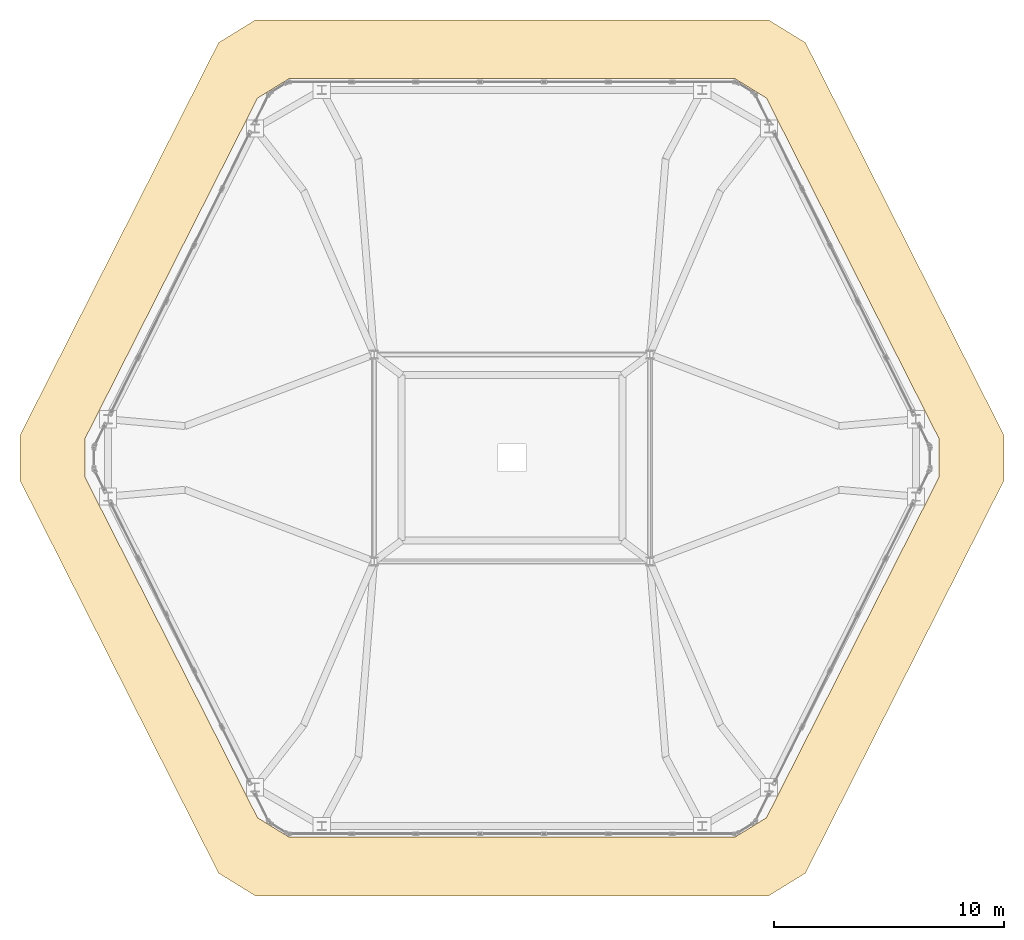
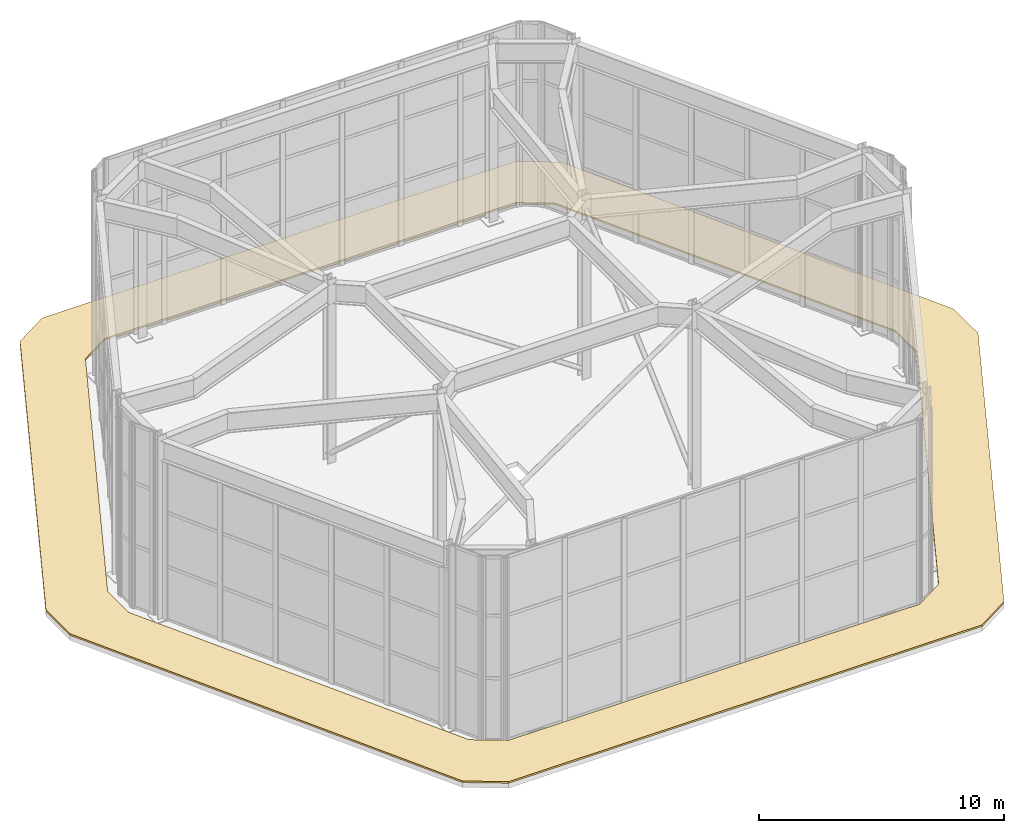
# One storey, part 12 of 12: 1 covering.
"""IFC4 building model written with IfcOpenShell, lengths in metres."""

from ifc_helpers import new_model, si_unit, direction, frame, origin, place, context, subcontext, project, spatial, polyline, outline, extrude, material, layer, layer_set, type_object, element, save


model = new_model("IFC4")

# Units and contexts
model_context = context("Model", 3, precision=1e-05, world=origin(), true_north=direction((0.0, 1.0)))
body_context = subcontext(model_context, "Body", "Model", "MODEL_VIEW")
ifc_project = project(units=[si_unit("LENGTHUNIT", "METRE"), si_unit("AREAUNIT", "SQUARE_METRE"), si_unit("VOLUMEUNIT", "CUBIC_METRE"), si_unit("PLANEANGLEUNIT", "RADIAN"), si_unit("MASSUNIT", "GRAM", prefix="KILO")], contexts=[model_context])

# Site, building, storey
site_placement = place(None, origin())
site = spatial("IfcSite", under=ifc_project, at=site_placement, CompositionType="ELEMENT")
building_placement = place(site_placement, origin())
building = spatial("IfcBuilding", under=site, at=building_placement, Name="Cinnabar Lancet Tower", CompositionType="ELEMENT")
storey_placement = place(building_placement, frame((0.0, 0.0, 305.5)))
storey = spatial("IfcBuildingStorey", under=building, at=storey_placement, Name="L80", CompositionType="ELEMENT", Elevation=305.5)

# Covering
ifc_material = material(Name="TPO single-ply insulated waterproof roofing membrane", Category="finish")
ifc_layer = layer(ifc_material, 0.0849609375)
ifc_layer_set = layer_set([ifc_layer], Name="TPO single-ply insulated waterproof roofing membrane")
covering_type = type_object("IfcCoveringType", Name="ARC-COV-ROOF-MEM", PredefinedType="ROOFING", material=ifc_layer_set)
covering_placement = place(storey_placement, origin())
element("IfcCovering", 1, at=covering_placement, inside=storey, type_object=covering_type, Name="L80 Insulated TPO Waterproof Roofing Membrane", PredefinedType="ROOFING", context=body_context, shape_type="SweptSolid", body=[
    extrude(outline(polyline([(19.638916015625, 7.73193359375), (21.236083984375, 6.75), (43.56396484375, 6.75), (45.160888671875, 7.73193359375), (53.802978515625, 24.818115234375), (53.802978515625, 26.781982421875), (45.160888671875, 43.867919921875), (43.56396484375, 44.85009765625), (21.236083984375, 44.85009765625), (19.638916015625, 43.867919921875), (10.9970703125, 26.781982421875), (10.9970703125, 24.818115234375), (19.638916015625, 7.73193359375)]), holes=[polyline([(21.3310546875, 10.14697265625), (22.7099609375, 9.300048828125), (42.090087890625, 9.300048828125), (43.468994140625, 10.14697265625), (50.970947265625, 24.952880859375), (50.970947265625, 26.64697265625), (43.468994140625, 41.452880859375), (42.090087890625, 42.300048828125), (22.7099609375, 42.300048828125), (21.3310546875, 41.452880859375), (13.8291015625, 26.64697265625), (13.8291015625, 24.952880859375), (21.3310546875, 10.14697265625)])]), origin(), (0.0, 0.0, 1.0), 0.0849609375),
])

save(model, "model.ifc")
